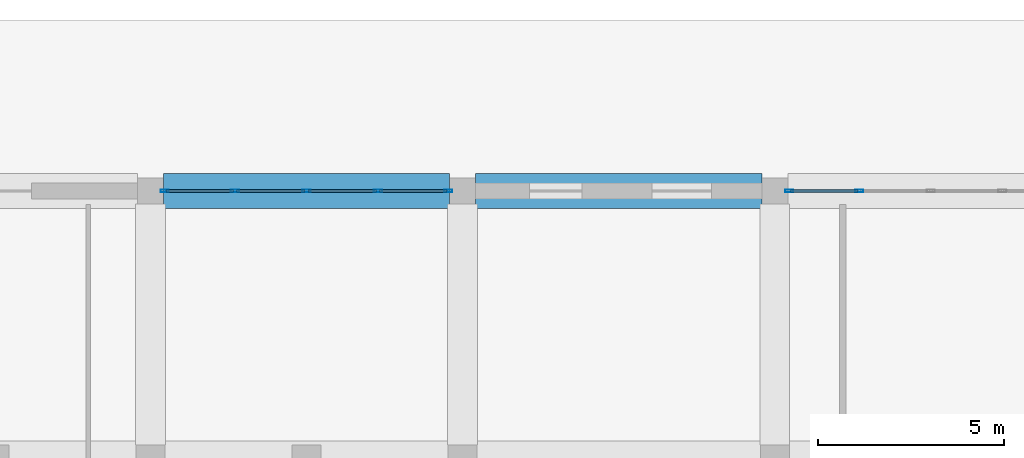
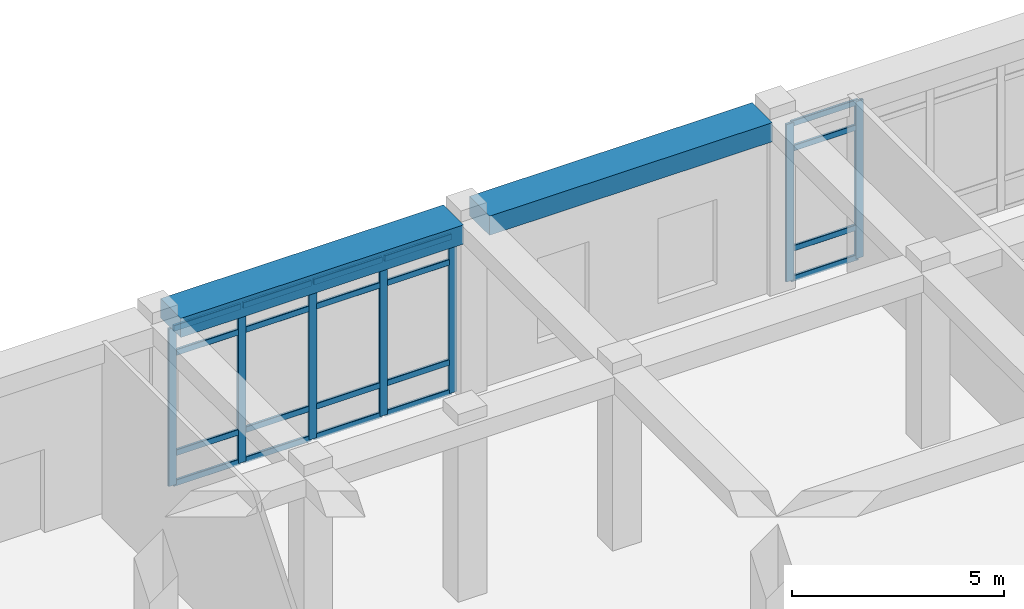
# One storey, part 39 of 84: 27 members, 2 beams, 2 elements without a shape of their own.
"""IFC4 building model written with IfcOpenShell, lengths in metres."""

import ifcopenshell
import ifcopenshell.guid

model = None  # the IFC model being written
_history = None  # IfcOwnerHistory: only IFC2X3 demands one
_inside = {}  # id of a spatial element -> (the spatial element, [elements in it])
_under = {}  # id of a project, library or spatial element -> (it, [spatial elements below it])
_declared = {}  # id of a project -> (the project, [libraries it declares])
_typed = {}  # id of a type object -> (the type object, [elements of that type])
_made_of = {}  # id of a material, layer set ... -> (it, [elements and type objects made of it])


def new_model(schema):
    """Start an empty IFC model of exactly this schema.

    Asked for "IFC4X3", IfcOpenShell would pick the latest addendum, in which some entities
    have other attributes; the version numbers below select the first issue.
    IFC2X3 requires an IfcOwnerHistory on every rooted entity: one is made here for all.
    """
    global model, _history
    if schema == "IFC4X3":
        model = ifcopenshell.file(schema_version=(4, 3, 0, 0))
    else:
        model = ifcopenshell.file(schema=schema)
    _inside.clear()
    _under.clear()
    _declared.clear()
    _typed.clear()
    _made_of.clear()
    _history = None
    if model.schema == "IFC2X3":
        org = make("IfcOrganization", Name="unknown")
        user = make(
            "IfcPersonAndOrganization",
            ThePerson=make("IfcPerson", FamilyName="unknown"),
            TheOrganization=org,
        )
        app = make(
            "IfcApplication",
            ApplicationDeveloper=org,
            Version="unknown",
            ApplicationFullName="unknown",
            ApplicationIdentifier="unknown",
        )
        _history = make(
            "IfcOwnerHistory",
            OwningUser=user,
            OwningApplication=app,
            ChangeAction="ADDED",
            CreationDate=0,
        )
    return model


def make(cls, **values):
    """One entity of the class cls with the attributes given. An attribute that is None is left unset."""
    return model.create_entity(
        cls, **{name: value for name, value in values.items() if value is not None}
    )


def rooted(cls, **values):
    """An entity with a GlobalId (a new one), such as an element, a storey or a relation."""
    return make(cls, GlobalId=ifcopenshell.guid.new(), OwnerHistory=_history, **values)


def si_unit(unit_type, name, prefix=None):
    """IfcSIUnit, for example si_unit("LENGTHUNIT", "METRE", prefix="MILLI")."""
    return make("IfcSIUnit", UnitType=unit_type, Prefix=prefix, Name=name)


def derived_unit(unit_type, elements):
    """IfcDerivedUnit: a product of units, each with its exponent."""
    return make(
        "IfcDerivedUnit",
        Elements=[
            make("IfcDerivedUnitElement", Unit=unit, Exponent=power)
            for unit, power in elements
        ],
        UnitType=unit_type,
    )


def assignment(units):
    """IfcUnitAssignment: the units of a project."""
    return None if units is None else make("IfcUnitAssignment", Units=units)


def point(xyz):
    """IfcCartesianPoint."""
    return None if xyz is None else make("IfcCartesianPoint", Coordinates=xyz)


def direction(xyz):
    """IfcDirection."""
    return None if xyz is None else make("IfcDirection", DirectionRatios=xyz)


def frame(location, z_axis=None, x_axis=None):
    """IfcAxis2Placement3D, a coordinate frame: its origin and axes. An axis left out is left unset."""
    return make(
        "IfcAxis2Placement3D",
        Location=point(location),
        Axis=direction(z_axis),
        RefDirection=direction(x_axis),
    )


def frame_2d(location, x_axis=None):
    """IfcAxis2Placement2D, a coordinate frame in the plane: its origin and x axis."""
    return make(
        "IfcAxis2Placement2D", Location=point(location), RefDirection=direction(x_axis)
    )


def origin():
    """The frame at (0, 0, 0) with its axes left unset."""
    return frame((0.0, 0.0, 0.0))


def origin_2d():
    """The frame at (0, 0) in the plane with its x axis left unset."""
    return frame_2d((0.0, 0.0))


def place(relative_to, where):
    """IfcLocalPlacement: puts the frame where relative to a parent placement (None: the world)."""
    return make(
        "IfcLocalPlacement", PlacementRelTo=relative_to, RelativePlacement=where
    )


def context(
    kind, dimensions, precision=None, world=None, true_north=None, identifier=None
):
    """IfcGeometricRepresentationContext, for example the 3D "Model" context."""
    return make(
        "IfcGeometricRepresentationContext",
        ContextIdentifier=identifier,
        ContextType=kind,
        CoordinateSpaceDimension=dimensions,
        Precision=precision,
        WorldCoordinateSystem=world,
        TrueNorth=true_north,
    )


def subcontext(parent, identifier, kind, view, scale=None):
    """IfcGeometricRepresentationSubContext, for example "Body" below "Model"."""
    return make(
        "IfcGeometricRepresentationSubContext",
        ContextIdentifier=identifier,
        ContextType=kind,
        ParentContext=parent,
        TargetScale=scale,
        TargetView=view,
    )


def project(units=None, contexts=None):
    """IfcProject with its units and contexts."""
    return rooted(
        "IfcProject",
        Name="project",
        RepresentationContexts=contexts,
        UnitsInContext=assignment(units),
    )


def spatial(cls, under=None, at=None, **own):
    """A site, building, storey or space (cls), placed at a placement, below another one or the project."""
    s = rooted(cls, ObjectPlacement=at, **own)
    if under is not None:
        _under.setdefault(under.id(), (under, []))[1].append(s)
    return s


def profile(cls, at=None, kind="AREA", **sizes):
    """A parametric profile (cls). Its sizes go by their IFC names, for example OverallWidth=200.0."""
    return make(cls, ProfileType=kind, Position=at, **sizes)


def rectangle(**sizes):
    """IfcRectangleProfileDef."""
    return profile("IfcRectangleProfileDef", **sizes)


def hollow_rectangle(**sizes):
    """IfcRectangleHollowProfileDef."""
    return profile("IfcRectangleHollowProfileDef", **sizes)


def extrude(swept, where, along, depth):
    """IfcExtrudedAreaSolid: the profile swept, set in the frame where, extruded along a direction by depth."""
    return make(
        "IfcExtrudedAreaSolid",
        SweptArea=swept,
        Position=where,
        ExtrudedDirection=direction(along),
        Depth=depth,
    )


def shape(context_of_items, identifier, shape_type, items):
    """IfcShapeRepresentation: the items that make up one representation, for example the "Body"."""
    return make(
        "IfcShapeRepresentation",
        ContextOfItems=context_of_items,
        RepresentationIdentifier=identifier,
        RepresentationType=shape_type,
        Items=items,
    )


def material(Name=None, Category=None):
    """IfcMaterial."""
    return make("IfcMaterial", Name=Name, Category=Category)


def material_profile(
    of_material, cross_section, Name=None, Category=None, Priority=None
):
    """IfcMaterialProfile: a cross section and its material."""
    return make(
        "IfcMaterialProfile",
        Name=Name,
        Material=of_material,
        Profile=cross_section,
        Priority=Priority,
        Category=Category,
    )


def profile_set(profiles, Name=None, composite=None):
    """IfcMaterialProfileSet."""
    return make(
        "IfcMaterialProfileSet",
        Name=Name,
        MaterialProfiles=profiles,
        CompositeProfile=composite,
    )


def made_of(thing, what):
    """Note that an element or type object is made of a material, layer set ...; save() writes the relation."""
    if what is not None:
        _made_of.setdefault(what.id(), (what, []))[1].append(thing)
    return thing


def type_object(cls, material=None, **own):
    """A type object (cls), such as IfcWallType, which elements share."""
    return made_of(rooted(cls, **own), material)


def element(
    cls,
    number,
    at=None,
    inside=None,
    cuts=None,
    type_object=None,
    material=None,
    context=None,
    identifier="Body",
    shape_type=None,
    held_by="IfcProductDefinitionShape",
    body=None,
    shapes=None,
    **own,
):
    """One element of the class cls, such as IfcWall. Its Tag is "e" and its number.

    at: its placement. inside: the storey or other place that contains it. cuts: it is an
    opening in that element (IfcRelVoidsElement). A single representation is given by context,
    identifier, shape_type and body (its items); several are given by shapes. held_by: the class
    of the entity that holds the representations. save() writes the other relations.
    """
    e = rooted(cls, Tag="e%d" % number, ObjectPlacement=at, **own)
    if body is not None:
        shapes = [shape(context, identifier, shape_type, body)]
    if shapes is not None:
        e.Representation = make(held_by, Representations=shapes)
    if inside is not None:
        _inside.setdefault(inside.id(), (inside, []))[1].append(e)
    if cuts is not None:
        rooted(
            "IfcRelVoidsElement", RelatingBuildingElement=cuts, RelatedOpeningElement=e
        )
    if type_object is not None:
        _typed.setdefault(type_object.id(), (type_object, []))[1].append(e)
    return made_of(e, material)


def aggregate(whole, parts):
    """IfcRelAggregates: a whole, such as a stair, and the parts it consists of."""
    return rooted("IfcRelAggregates", RelatingObject=whole, RelatedObjects=parts)


def save(model, path):
    """Write the relations noted so far, then the file.

    IfcRelAggregates (storeys below a building ...), IfcRelContainedInSpatialStructure (elements
    in a storey), IfcRelDefinesByType, IfcRelAssociatesMaterial and IfcRelDeclares: one each for
    every whole, place, type object, material and project.
    """
    for whole, parts in _under.values():
        aggregate(whole, parts)
    for where, things in _inside.values():
        rooted(
            "IfcRelContainedInSpatialStructure",
            RelatedElements=things,
            RelatingStructure=where,
        )
    for kind, things in _typed.values():
        rooted("IfcRelDefinesByType", RelatedObjects=things, RelatingType=kind)
    for what, things in _made_of.values():
        rooted("IfcRelAssociatesMaterial", RelatedObjects=things, RelatingMaterial=what)
    for by, libraries in _declared.values():
        rooted("IfcRelDeclares", RelatingContext=by, RelatedDefinitions=libraries)
    model.write(path)


model = new_model("IFC4")

# Units and contexts
model_context = context("Model", 3, precision=1e-05, world=origin(), true_north=direction((0.0, 1.0)))
body_context = subcontext(model_context, "Body", "Model", "MODEL_VIEW")
ifc_project = project(units=[si_unit("LENGTHUNIT", "METRE"), si_unit("AREAUNIT", "SQUARE_METRE"), si_unit("VOLUMEUNIT", "CUBIC_METRE"), si_unit("PLANEANGLEUNIT", "RADIAN"), si_unit("MASSUNIT", "GRAM", prefix="KILO"), derived_unit("THERMALTRANSMITTANCEUNIT", [(si_unit("POWERUNIT", "WATT"), 1), (si_unit("LENGTHUNIT", "METRE"), -2), (si_unit("THERMODYNAMICTEMPERATUREUNIT", "KELVIN"), -1)])], contexts=[model_context])

# Site, building, storey
site_placement = place(None, origin())
site = spatial("IfcSite", under=ifc_project, at=site_placement, CompositionType="ELEMENT")
building_placement = place(site_placement, origin())
building = spatial("IfcBuilding", under=site, at=building_placement, Name="Veybourne Emporium", CompositionType="ELEMENT")
storey_placement = place(building_placement, origin())
storey = spatial("IfcBuildingStorey", under=building, at=storey_placement, Name="L00", CompositionType="ELEMENT", Elevation=0.0)

# Curtain wall, members
ifc_material_1 = material(Name="Patinated Architectural Bronze", Category="bronze")
curtain_wall_type_1 = type_object("IfcCurtainWallType", Name="CWSystem_CWS-05", PredefinedType="NOTDEFINED", material=ifc_material_1)
curtain_wall_1_placement = place(storey_placement, origin())
curtain_wall_1 = element("IfcCurtainWall", 1, at=curtain_wall_1_placement, inside=storey, type_object=curtain_wall_type_1, Name="L00 bronze glazed curtain wall CWS-05 (036)", PredefinedType="NOTDEFINED")
ifc_material_profile_1 = material_profile(ifc_material_1, hollow_rectangle(XDim=0.072021484375, YDim=0.22509765625, WallThickness=0.0048828125, InnerFilletRadius=0.007568359375, OuterFilletRadius=0.012451171875, at=origin_2d()), Name="CWM 72x225x5")
ifc_profile_set_1 = profile_set([ifc_material_profile_1], Name="Patinated Architectural Bronze")
member_type_1 = type_object("IfcMemberType", Name="CWMullion_CW-M1", PredefinedType="MULLION", material=ifc_profile_set_1)
member_1_placement = place(storey_placement, frame((75.986083984375, 115.199951171875, 0.0), z_axis=(0.0, 0.0, 1.0), x_axis=(0.0, 1.0, 0.0)))
member_1 = element("IfcMember", 2, at=member_1_placement, type_object=member_type_1, Name="CWS-05 mullion 1", PredefinedType="MULLION", context=body_context, shape_type="SweptSolid", body=[
    extrude(hollow_rectangle(XDim=0.072021484375, YDim=0.22509765625, WallThickness=0.0048828125, InnerFilletRadius=0.007568359375, OuterFilletRadius=0.012451171875, at=origin_2d()), origin(), (0.0, 0.0, 1.0), 4.530029296875),
])
member_2_placement = place(storey_placement, frame((77.875, 115.199951171875, 0.0), z_axis=(0.0, 0.0, 1.0), x_axis=(0.0, 1.0, 0.0)))
member_2 = element("IfcMember", 3, at=member_2_placement, type_object=member_type_1, Name="CWS-05 mullion 2", PredefinedType="MULLION", context=body_context, shape_type="SweptSolid", body=[
    extrude(hollow_rectangle(XDim=0.072021484375, YDim=0.22509765625, WallThickness=0.0048828125, InnerFilletRadius=0.007568359375, OuterFilletRadius=0.012451171875, at=origin_2d()), origin(), (0.0, 0.0, 1.0), 4.530029296875),
])
member_3_placement = place(storey_placement, frame((79.800048828125, 115.199951171875, 0.0), z_axis=(0.0, 0.0, 1.0), x_axis=(0.0, 1.0, 0.0)))
member_3 = element("IfcMember", 4, at=member_3_placement, type_object=member_type_1, Name="CWS-05 mullion 3", PredefinedType="MULLION", context=body_context, shape_type="SweptSolid", body=[
    extrude(hollow_rectangle(XDim=0.072021484375, YDim=0.22509765625, WallThickness=0.0048828125, InnerFilletRadius=0.007568359375, OuterFilletRadius=0.012451171875, at=origin_2d()), origin(), (0.0, 0.0, 1.0), 4.530029296875),
])
member_4_placement = place(storey_placement, frame((81.72509765625, 115.199951171875, 0.0), z_axis=(0.0, 0.0, 1.0), x_axis=(0.0, 1.0, 0.0)))
member_4 = element("IfcMember", 5, at=member_4_placement, type_object=member_type_1, Name="CWS-05 mullion 4", PredefinedType="MULLION", context=body_context, shape_type="SweptSolid", body=[
    extrude(hollow_rectangle(XDim=0.072021484375, YDim=0.22509765625, WallThickness=0.0048828125, InnerFilletRadius=0.007568359375, OuterFilletRadius=0.012451171875, at=origin_2d()), origin(), (0.0, 0.0, 1.0), 4.530029296875),
])
member_5_placement = place(storey_placement, frame((83.614013671875, 115.199951171875, 0.0), z_axis=(0.0, 0.0, 1.0), x_axis=(0.0, 1.0, 0.0)))
member_5 = element("IfcMember", 6, at=member_5_placement, type_object=member_type_1, Name="CWS-05 mullion 5", PredefinedType="MULLION", context=body_context, shape_type="SweptSolid", body=[
    extrude(hollow_rectangle(XDim=0.072021484375, YDim=0.22509765625, WallThickness=0.0048828125, InnerFilletRadius=0.007568359375, OuterFilletRadius=0.012451171875, at=origin_2d()), origin(), (0.0, 0.0, 1.0), 4.530029296875),
])

curtain_wall_type_2 = type_object("IfcCurtainWallType", Name="CWSystem_CWS-08", PredefinedType="NOTDEFINED", material=ifc_material_1)
curtain_wall_2_placement = place(storey_placement, origin())
curtain_wall_2 = element("IfcCurtainWall", 7, at=curtain_wall_2_placement, inside=storey, type_object=curtain_wall_type_2, Name="L00 bronze glazed curtain wall CWS-08 (052)", PredefinedType="NOTDEFINED")
ifc_material_profile_2 = material_profile(ifc_material_1, hollow_rectangle(XDim=0.070068359375, YDim=0.219970703125, WallThickness=0.0048828125, InnerFilletRadius=0.007568359375, OuterFilletRadius=0.012451171875, at=origin_2d()), Name="CWM 70x220x5")
ifc_profile_set_2 = profile_set([ifc_material_profile_2], Name="Patinated Architectural Bronze")
member_type_2 = type_object("IfcMemberType", Name="CWMullion_CW-M4", PredefinedType="MULLION", material=ifc_profile_set_2)
member_6_placement = place(storey_placement, frame((92.784912109375, 115.199951171875, 0.0), z_axis=(0.0, 0.0, 1.0), x_axis=(0.0, 1.0, 0.0)))
member_6 = element("IfcMember", 8, at=member_6_placement, type_object=member_type_2, Name="CWS-08 mullion 1", PredefinedType="MULLION", context=body_context, shape_type="SweptSolid", body=[
    extrude(hollow_rectangle(XDim=0.070068359375, YDim=0.219970703125, WallThickness=0.0048828125, InnerFilletRadius=0.007568359375, OuterFilletRadius=0.012451171875, at=origin_2d()), origin(), (0.0, 0.0, 1.0), 4.530029296875),
])
member_7_placement = place(storey_placement, frame((94.675048828125, 115.199951171875, 0.0), z_axis=(0.0, 0.0, 1.0), x_axis=(0.0, 1.0, 0.0)))
member_7 = element("IfcMember", 9, at=member_7_placement, type_object=member_type_2, Name="CWS-08 mullion 2", PredefinedType="MULLION", context=body_context, shape_type="SweptSolid", body=[
    extrude(hollow_rectangle(XDim=0.070068359375, YDim=0.219970703125, WallThickness=0.0048828125, InnerFilletRadius=0.007568359375, OuterFilletRadius=0.012451171875, at=origin_2d()), origin(), (0.0, 0.0, 1.0), 4.530029296875),
])

# Member
ifc_material_profile_3 = material_profile(ifc_material_1, hollow_rectangle(XDim=0.072021484375, YDim=0.175048828125, WallThickness=0.0048828125, InnerFilletRadius=0.007568359375, OuterFilletRadius=0.012451171875, at=origin_2d()), Name="CWT 72x175x5")
ifc_profile_set_3 = profile_set([ifc_material_profile_3], Name="Patinated Architectural Bronze")
member_type_3 = type_object("IfcMemberType", Name="CWTransom_CW-T1", PredefinedType="NOTDEFINED", material=ifc_profile_set_3)
member_8_placement = place(storey_placement, frame((76.02197265625, 115.199951171875, 0.035888671875), z_axis=(1.0, 0.0, 0.0), x_axis=(0.0, 1.0, 0.0)))
member_8 = element("IfcMember", 10, at=member_8_placement, type_object=member_type_3, Name="CWS-05 transom 1.1", ObjectType="TRANSOM", PredefinedType="USERDEFINED", context=body_context, shape_type="SweptSolid", body=[
    extrude(hollow_rectangle(XDim=0.072021484375, YDim=0.175048828125, WallThickness=0.0048828125, InnerFilletRadius=0.007568359375, OuterFilletRadius=0.012451171875, at=origin_2d()), origin(), (0.0, 0.0, 1.0), 1.817138671875),
])

member_9_placement = place(storey_placement, frame((76.02197265625, 115.199951171875, 0.89990234375), z_axis=(1.0, 0.0, 0.0), x_axis=(0.0, 1.0, 0.0)))
member_9 = element("IfcMember", 11, at=member_9_placement, type_object=member_type_3, Name="CWS-05 transom 1.2", ObjectType="TRANSOM", PredefinedType="USERDEFINED", context=body_context, shape_type="SweptSolid", body=[
    extrude(hollow_rectangle(XDim=0.072021484375, YDim=0.175048828125, WallThickness=0.0048828125, InnerFilletRadius=0.007568359375, OuterFilletRadius=0.012451171875, at=origin_2d()), origin(), (0.0, 0.0, 1.0), 1.817138671875),
])

member_10_placement = place(storey_placement, frame((76.02197265625, 115.199951171875, 3.780029296875), z_axis=(1.0, 0.0, 0.0), x_axis=(0.0, 1.0, 0.0)))
member_10 = element("IfcMember", 12, at=member_10_placement, type_object=member_type_3, Name="CWS-05 transom 1.3", ObjectType="TRANSOM", PredefinedType="USERDEFINED", context=body_context, shape_type="SweptSolid", body=[
    extrude(hollow_rectangle(XDim=0.072021484375, YDim=0.175048828125, WallThickness=0.0048828125, InnerFilletRadius=0.007568359375, OuterFilletRadius=0.012451171875, at=origin_2d()), origin(), (0.0, 0.0, 1.0), 1.817138671875),
])

member_11_placement = place(storey_placement, frame((76.02197265625, 115.199951171875, 4.493896484375), z_axis=(1.0, 0.0, 0.0), x_axis=(0.0, 1.0, 0.0)))
member_11 = element("IfcMember", 13, at=member_11_placement, type_object=member_type_3, Name="CWS-05 transom 1.4", ObjectType="TRANSOM", PredefinedType="USERDEFINED", context=body_context, shape_type="SweptSolid", body=[
    extrude(hollow_rectangle(XDim=0.072021484375, YDim=0.175048828125, WallThickness=0.0048828125, InnerFilletRadius=0.007568359375, OuterFilletRadius=0.012451171875, at=origin_2d()), origin(), (0.0, 0.0, 1.0), 1.817138671875),
])

member_12_placement = place(storey_placement, frame((77.910888671875, 115.199951171875, 0.035888671875), z_axis=(1.0, 0.0, 0.0), x_axis=(0.0, 1.0, 0.0)))
member_12 = element("IfcMember", 14, at=member_12_placement, type_object=member_type_3, Name="CWS-05 transom 2.1", ObjectType="TRANSOM", PredefinedType="USERDEFINED", context=body_context, shape_type="SweptSolid", body=[
    extrude(hollow_rectangle(XDim=0.072021484375, YDim=0.175048828125, WallThickness=0.0048828125, InnerFilletRadius=0.007568359375, OuterFilletRadius=0.012451171875, at=origin_2d()), origin(), (0.0, 0.0, 1.0), 1.85302734375),
])

member_13_placement = place(storey_placement, frame((77.910888671875, 115.199951171875, 0.89990234375), z_axis=(1.0, 0.0, 0.0), x_axis=(0.0, 1.0, 0.0)))
member_13 = element("IfcMember", 15, at=member_13_placement, type_object=member_type_3, Name="CWS-05 transom 2.2", ObjectType="TRANSOM", PredefinedType="USERDEFINED", context=body_context, shape_type="SweptSolid", body=[
    extrude(hollow_rectangle(XDim=0.072021484375, YDim=0.175048828125, WallThickness=0.0048828125, InnerFilletRadius=0.007568359375, OuterFilletRadius=0.012451171875, at=origin_2d()), origin(), (0.0, 0.0, 1.0), 1.85302734375),
])

member_14_placement = place(storey_placement, frame((77.910888671875, 115.199951171875, 3.780029296875), z_axis=(1.0, 0.0, 0.0), x_axis=(0.0, 1.0, 0.0)))
member_14 = element("IfcMember", 16, at=member_14_placement, type_object=member_type_3, Name="CWS-05 transom 2.3", ObjectType="TRANSOM", PredefinedType="USERDEFINED", context=body_context, shape_type="SweptSolid", body=[
    extrude(hollow_rectangle(XDim=0.072021484375, YDim=0.175048828125, WallThickness=0.0048828125, InnerFilletRadius=0.007568359375, OuterFilletRadius=0.012451171875, at=origin_2d()), origin(), (0.0, 0.0, 1.0), 1.85302734375),
])

member_15_placement = place(storey_placement, frame((77.910888671875, 115.199951171875, 4.493896484375), z_axis=(1.0, 0.0, 0.0), x_axis=(0.0, 1.0, 0.0)))
member_15 = element("IfcMember", 17, at=member_15_placement, type_object=member_type_3, Name="CWS-05 transom 2.4", ObjectType="TRANSOM", PredefinedType="USERDEFINED", context=body_context, shape_type="SweptSolid", body=[
    extrude(hollow_rectangle(XDim=0.072021484375, YDim=0.175048828125, WallThickness=0.0048828125, InnerFilletRadius=0.007568359375, OuterFilletRadius=0.012451171875, at=origin_2d()), origin(), (0.0, 0.0, 1.0), 1.85302734375),
])

member_16_placement = place(storey_placement, frame((79.8359375, 115.199951171875, 0.035888671875), z_axis=(1.0, 0.0, 0.0), x_axis=(0.0, 1.0, 0.0)))
member_16 = element("IfcMember", 18, at=member_16_placement, type_object=member_type_3, Name="CWS-05 transom 3.1", ObjectType="TRANSOM", PredefinedType="USERDEFINED", context=body_context, shape_type="SweptSolid", body=[
    extrude(hollow_rectangle(XDim=0.072021484375, YDim=0.175048828125, WallThickness=0.0048828125, InnerFilletRadius=0.007568359375, OuterFilletRadius=0.012451171875, at=origin_2d()), origin(), (0.0, 0.0, 1.0), 1.85302734375),
])

member_17_placement = place(storey_placement, frame((79.8359375, 115.199951171875, 0.89990234375), z_axis=(1.0, 0.0, 0.0), x_axis=(0.0, 1.0, 0.0)))
member_17 = element("IfcMember", 19, at=member_17_placement, type_object=member_type_3, Name="CWS-05 transom 3.2", ObjectType="TRANSOM", PredefinedType="USERDEFINED", context=body_context, shape_type="SweptSolid", body=[
    extrude(hollow_rectangle(XDim=0.072021484375, YDim=0.175048828125, WallThickness=0.0048828125, InnerFilletRadius=0.007568359375, OuterFilletRadius=0.012451171875, at=origin_2d()), origin(), (0.0, 0.0, 1.0), 1.85302734375),
])

member_18_placement = place(storey_placement, frame((79.8359375, 115.199951171875, 3.780029296875), z_axis=(1.0, 0.0, 0.0), x_axis=(0.0, 1.0, 0.0)))
member_18 = element("IfcMember", 20, at=member_18_placement, type_object=member_type_3, Name="CWS-05 transom 3.3", ObjectType="TRANSOM", PredefinedType="USERDEFINED", context=body_context, shape_type="SweptSolid", body=[
    extrude(hollow_rectangle(XDim=0.072021484375, YDim=0.175048828125, WallThickness=0.0048828125, InnerFilletRadius=0.007568359375, OuterFilletRadius=0.012451171875, at=origin_2d()), origin(), (0.0, 0.0, 1.0), 1.85302734375),
])

member_19_placement = place(storey_placement, frame((79.8359375, 115.199951171875, 4.493896484375), z_axis=(1.0, 0.0, 0.0), x_axis=(0.0, 1.0, 0.0)))
member_19 = element("IfcMember", 21, at=member_19_placement, type_object=member_type_3, Name="CWS-05 transom 3.4", ObjectType="TRANSOM", PredefinedType="USERDEFINED", context=body_context, shape_type="SweptSolid", body=[
    extrude(hollow_rectangle(XDim=0.072021484375, YDim=0.175048828125, WallThickness=0.0048828125, InnerFilletRadius=0.007568359375, OuterFilletRadius=0.012451171875, at=origin_2d()), origin(), (0.0, 0.0, 1.0), 1.85302734375),
])

member_20_placement = place(storey_placement, frame((81.760986328125, 115.199951171875, 0.035888671875), z_axis=(1.0, 0.0, 0.0), x_axis=(0.0, 1.0, 0.0)))
member_20 = element("IfcMember", 22, at=member_20_placement, type_object=member_type_3, Name="CWS-05 transom 4.1", ObjectType="TRANSOM", PredefinedType="USERDEFINED", context=body_context, shape_type="SweptSolid", body=[
    extrude(hollow_rectangle(XDim=0.072021484375, YDim=0.175048828125, WallThickness=0.0048828125, InnerFilletRadius=0.007568359375, OuterFilletRadius=0.012451171875, at=origin_2d()), origin(), (0.0, 0.0, 1.0), 1.81689453125),
])

member_21_placement = place(storey_placement, frame((81.760986328125, 115.199951171875, 0.89990234375), z_axis=(1.0, 0.0, 0.0), x_axis=(0.0, 1.0, 0.0)))
member_21 = element("IfcMember", 23, at=member_21_placement, type_object=member_type_3, Name="CWS-05 transom 4.2", ObjectType="TRANSOM", PredefinedType="USERDEFINED", context=body_context, shape_type="SweptSolid", body=[
    extrude(hollow_rectangle(XDim=0.072021484375, YDim=0.175048828125, WallThickness=0.0048828125, InnerFilletRadius=0.007568359375, OuterFilletRadius=0.012451171875, at=origin_2d()), origin(), (0.0, 0.0, 1.0), 1.81689453125),
])

member_22_placement = place(storey_placement, frame((81.760986328125, 115.199951171875, 3.780029296875), z_axis=(1.0, 0.0, 0.0), x_axis=(0.0, 1.0, 0.0)))
member_22 = element("IfcMember", 24, at=member_22_placement, type_object=member_type_3, Name="CWS-05 transom 4.3", ObjectType="TRANSOM", PredefinedType="USERDEFINED", context=body_context, shape_type="SweptSolid", body=[
    extrude(hollow_rectangle(XDim=0.072021484375, YDim=0.175048828125, WallThickness=0.0048828125, InnerFilletRadius=0.007568359375, OuterFilletRadius=0.012451171875, at=origin_2d()), origin(), (0.0, 0.0, 1.0), 1.81689453125),
])

member_23_placement = place(storey_placement, frame((81.760986328125, 115.199951171875, 4.493896484375), z_axis=(1.0, 0.0, 0.0), x_axis=(0.0, 1.0, 0.0)))
member_23 = element("IfcMember", 25, at=member_23_placement, type_object=member_type_3, Name="CWS-05 transom 4.4", ObjectType="TRANSOM", PredefinedType="USERDEFINED", context=body_context, shape_type="SweptSolid", body=[
    extrude(hollow_rectangle(XDim=0.072021484375, YDim=0.175048828125, WallThickness=0.0048828125, InnerFilletRadius=0.007568359375, OuterFilletRadius=0.012451171875, at=origin_2d()), origin(), (0.0, 0.0, 1.0), 1.81689453125),
])

aggregate(curtain_wall_1, [member_1, member_2, member_3, member_4, member_5, member_8, member_9, member_10, member_11, member_12, member_13, member_14, member_15, member_16, member_17, member_18, member_19, member_20, member_21, member_22, member_23])

ifc_material_profile_4 = material_profile(ifc_material_1, hollow_rectangle(XDim=0.070068359375, YDim=0.169921875, WallThickness=0.0048828125, InnerFilletRadius=0.007568359375, OuterFilletRadius=0.012451171875, at=origin_2d()), Name="CWT 70x170x5")
ifc_profile_set_4 = profile_set([ifc_material_profile_4], Name="Patinated Architectural Bronze")
member_type_4 = type_object("IfcMemberType", Name="CWTransom_CW-T4", PredefinedType="NOTDEFINED", material=ifc_profile_set_4)
member_24_placement = place(storey_placement, frame((92.820068359375, 115.199951171875, 0.034912109375), z_axis=(1.0, 0.0, 0.0), x_axis=(0.0, 1.0, 0.0)))
member_24 = element("IfcMember", 26, at=member_24_placement, type_object=member_type_4, Name="CWS-08 transom 1.1", ObjectType="TRANSOM", PredefinedType="USERDEFINED", context=body_context, shape_type="SweptSolid", body=[
    extrude(hollow_rectangle(XDim=0.070068359375, YDim=0.169921875, WallThickness=0.0048828125, InnerFilletRadius=0.007568359375, OuterFilletRadius=0.012451171875, at=origin_2d()), origin(), (0.0, 0.0, 1.0), 1.81982421875),
])

member_25_placement = place(storey_placement, frame((92.820068359375, 115.199951171875, 0.89990234375), z_axis=(1.0, 0.0, 0.0), x_axis=(0.0, 1.0, 0.0)))
member_25 = element("IfcMember", 27, at=member_25_placement, type_object=member_type_4, Name="CWS-08 transom 1.2", ObjectType="TRANSOM", PredefinedType="USERDEFINED", context=body_context, shape_type="SweptSolid", body=[
    extrude(hollow_rectangle(XDim=0.070068359375, YDim=0.169921875, WallThickness=0.0048828125, InnerFilletRadius=0.007568359375, OuterFilletRadius=0.012451171875, at=origin_2d()), origin(), (0.0, 0.0, 1.0), 1.81982421875),
])

member_26_placement = place(storey_placement, frame((92.820068359375, 115.199951171875, 3.780029296875), z_axis=(1.0, 0.0, 0.0), x_axis=(0.0, 1.0, 0.0)))
member_26 = element("IfcMember", 28, at=member_26_placement, type_object=member_type_4, Name="CWS-08 transom 1.3", ObjectType="TRANSOM", PredefinedType="USERDEFINED", context=body_context, shape_type="SweptSolid", body=[
    extrude(hollow_rectangle(XDim=0.070068359375, YDim=0.169921875, WallThickness=0.0048828125, InnerFilletRadius=0.007568359375, OuterFilletRadius=0.012451171875, at=origin_2d()), origin(), (0.0, 0.0, 1.0), 1.81982421875),
])

member_27_placement = place(storey_placement, frame((92.820068359375, 115.199951171875, 4.4951171875), z_axis=(1.0, 0.0, 0.0), x_axis=(0.0, 1.0, 0.0)))
member_27 = element("IfcMember", 29, at=member_27_placement, type_object=member_type_4, Name="CWS-08 transom 1.4", ObjectType="TRANSOM", PredefinedType="USERDEFINED", context=body_context, shape_type="SweptSolid", body=[
    extrude(hollow_rectangle(XDim=0.070068359375, YDim=0.169921875, WallThickness=0.0048828125, InnerFilletRadius=0.007568359375, OuterFilletRadius=0.012451171875, at=origin_2d()), origin(), (0.0, 0.0, 1.0), 1.81982421875),
])

aggregate(curtain_wall_2, [member_6, member_7, member_24, member_25, member_26, member_27])

# Beams
ifc_material_2 = material(Name="Concrete C32/40", Category="concrete")
ifc_material_profile_5 = material_profile(ifc_material_2, rectangle(XDim=0.949951171875, YDim=0.550048828125, at=origin_2d()), Name="RC 950x550")
ifc_profile_set_5 = profile_set([ifc_material_profile_5], Name="Concrete C32/40")
beam_type = type_object("IfcBeamType", Name="RCBeam_EB-01", PredefinedType="SPANDREL", material=ifc_profile_set_5)
for number, where, z_axis, x_axis, name in (
    (30, (75.949951171875, 115.199951171875, 4.804931640625), (1.0, 0.0, 0.0), (0.0, 1.0, 0.0), "L00 X-grid beam EB-01 (9,16)"),
    (31, (84.35009765625, 115.199951171875, 4.804931640625), (1.0, 0.0, 0.0), (0.0, 1.0, 0.0), "L00 X-grid beam EB-01 (10,16)"),
):
    element("IfcBeam", number, at=place(storey_placement, frame(where, z_axis=z_axis, x_axis=x_axis)), inside=storey, type_object=beam_type, Name=name, PredefinedType="SPANDREL", context=body_context, shape_type="SweptSolid", body=[
        extrude(rectangle(XDim=0.949951171875, YDim=0.550048828125, at=origin_2d()), origin(), (0.0, 0.0, 1.0), 7.699951171875),
    ])

save(model, "model.ifc")
